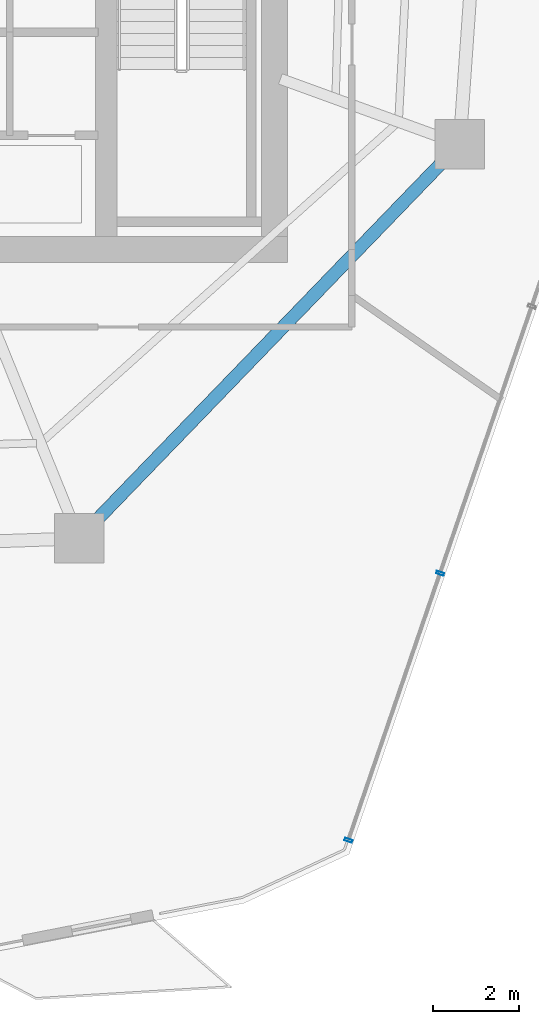
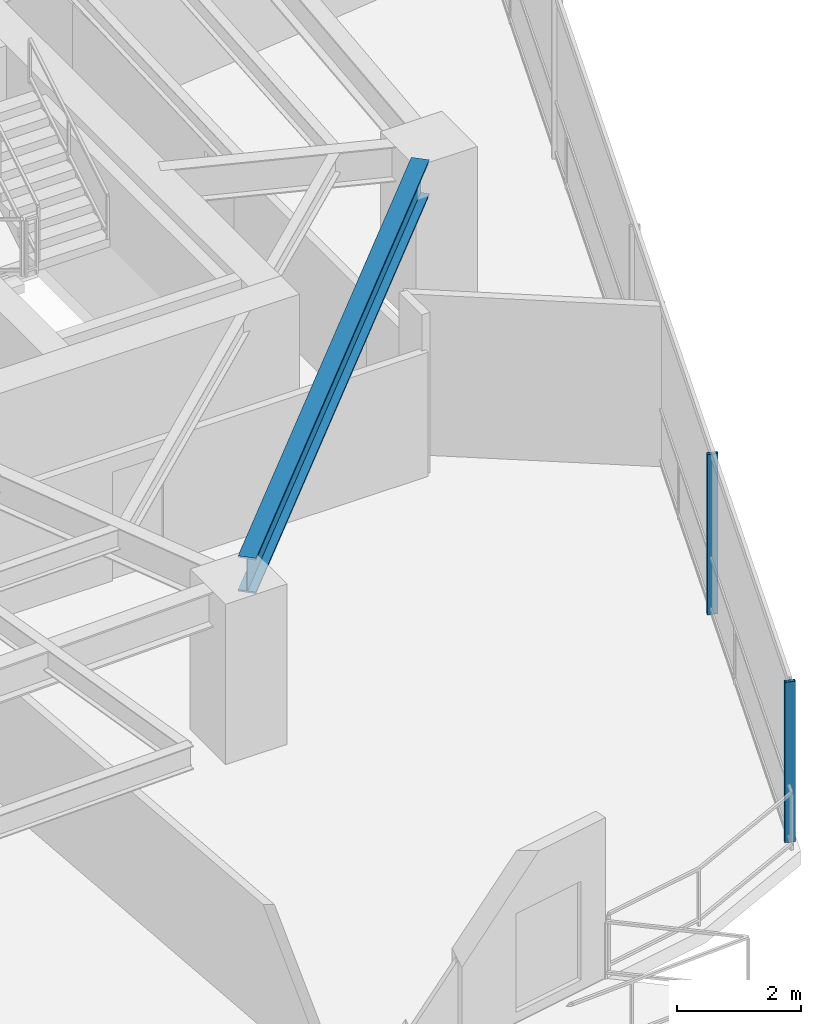
# One storey, part 10 of 27: 2 members, 1 beam, 1 element without a shape of its own.
"""IFC4 building model written with IfcOpenShell, lengths in metres."""

from ifc_helpers import new_model, si_unit, direction, frame, origin, origin_2d, place, context, subcontext, project, spatial, hollow_rectangle, i_section, extrude, material, layer, layer_set, material_profile, profile_set, type_object, element, aggregate, save


model = new_model("IFC4")

# Units and contexts
model_context = context("Model", 3, precision=1e-05, world=origin(), true_north=direction((0.0, 1.0)))
body_context = subcontext(model_context, "Body", "Model", "MODEL_VIEW")
ifc_project = project(units=[si_unit("LENGTHUNIT", "METRE"), si_unit("AREAUNIT", "SQUARE_METRE"), si_unit("VOLUMEUNIT", "CUBIC_METRE"), si_unit("PLANEANGLEUNIT", "RADIAN"), si_unit("MASSUNIT", "GRAM", prefix="KILO")], contexts=[model_context])

# Site, building, storey
site_placement = place(None, origin())
site = spatial("IfcSite", under=ifc_project, at=site_placement, CompositionType="ELEMENT")
building_placement = place(site_placement, origin())
building = spatial("IfcBuilding", under=site, at=building_placement, Name="Qarnah Convention Tower", CompositionType="ELEMENT")
storey_placement = place(building_placement, frame((0.0, 0.0, 107.39990234375)))
storey = spatial("IfcBuildingStorey", under=building, at=storey_placement, Name="L28", CompositionType="ELEMENT", Elevation=107.39990234375)

# Beam
ifc_material_1 = material(Name="Structural steel S355JR", Category="steel")
ifc_material_profile_1 = material_profile(ifc_material_1, i_section(OverallWidth=0.300048828125, OverallDepth=0.699951171875, WebThickness=0.01708984375, FlangeThickness=0.031982421875, at=origin_2d()), Name="HEB700")
ifc_profile_set_1 = profile_set([ifc_material_profile_1], Name="Structural steel S355JR")
beam_type = type_object("IfcBeamType", Name="BM-RING-HEB700", PredefinedType="BEAM", material=ifc_profile_set_1)
beam_placement = place(storey_placement, frame((43.455078125, 12.2958984375, 2.820068359375), z_axis=(0.694656478954, 0.719341626939, 0.0), x_axis=(-0.719341626939, 0.694656478954, 0.0)))
element("IfcBeam", 1, at=beam_placement, inside=storey, type_object=beam_type, Name="L28 beam BM-L28-SPN-08", PredefinedType="BEAM", context=body_context, shape_type="SweptSolid", body=[
    extrude(i_section(OverallWidth=0.300048828125, OverallDepth=0.699951171875, WebThickness=0.01708984375, FlangeThickness=0.031982421875, at=origin_2d()), origin(), (0.0, 0.0, 1.0), 11.60107421875),
])

# Curtain wall, members
ifc_material_2 = material(Name="Tempered Low-E dark glass", Category="glass")
ifc_layer = layer(ifc_material_2, 0.169921875)
ifc_layer_set = layer_set([ifc_layer], Name="Tempered Low-E dark glass")
curtain_wall_type = type_object("IfcCurtainWallType", Name="CWS-02", PredefinedType="NOTDEFINED", material=ifc_layer_set)
curtain_wall_placement = place(storey_placement, origin())
curtain_wall = element("IfcCurtainWall", 2, at=curtain_wall_placement, inside=storey, type_object=curtain_wall_type, Name="L28 unitised curtain wall CW-L28-F2", PredefinedType="NOTDEFINED")
ifc_material_3 = material(Name="Black anodised aluminium", Category="aluminium")
ifc_material_profile_2 = material_profile(ifc_material_3, hollow_rectangle(XDim=0.06494140625, YDim=0.179931640625, WallThickness=0.00390625, at=origin_2d()), Name="MUL-65X180")
ifc_profile_set_2 = profile_set([ifc_material_profile_2], Name="Black anodised aluminium")
member_type = type_object("IfcMemberType", Name="MUL-T2", PredefinedType="MULLION", material=ifc_profile_set_2)
member_1_placement = place(storey_placement, frame((51.45166015625, 11.076904296875, 0.0), z_axis=(0.0, 0.0, 1.0), x_axis=(-0.324901541187, -0.94574784617, 0.0)))
member_1 = element("IfcMember", 3, at=member_1_placement, type_object=member_type, Name="CW-L28-F2 mullion 5", PredefinedType="MULLION", context=body_context, shape_type="SweptSolid", body=[
    extrude(hollow_rectangle(XDim=0.06494140625, YDim=0.179931640625, WallThickness=0.00390625, at=origin_2d()), origin(), (0.0, 0.0, 1.0), 3.170166015625),
])
member_2_placement = place(storey_placement, frame((49.322021484375, 4.8779296875, 0.0), z_axis=(0.0, 0.0, 1.0), x_axis=(-0.324901541187, -0.94574784617, 0.0)))
member_2 = element("IfcMember", 4, at=member_2_placement, type_object=member_type, Name="CW-L28-F2 mullion 6", PredefinedType="MULLION", context=body_context, shape_type="SweptSolid", body=[
    extrude(hollow_rectangle(XDim=0.06494140625, YDim=0.179931640625, WallThickness=0.00390625, at=origin_2d()), origin(), (0.0, 0.0, 1.0), 3.170166015625),
])
aggregate(curtain_wall, [member_1, member_2])

save(model, "model.ifc")
